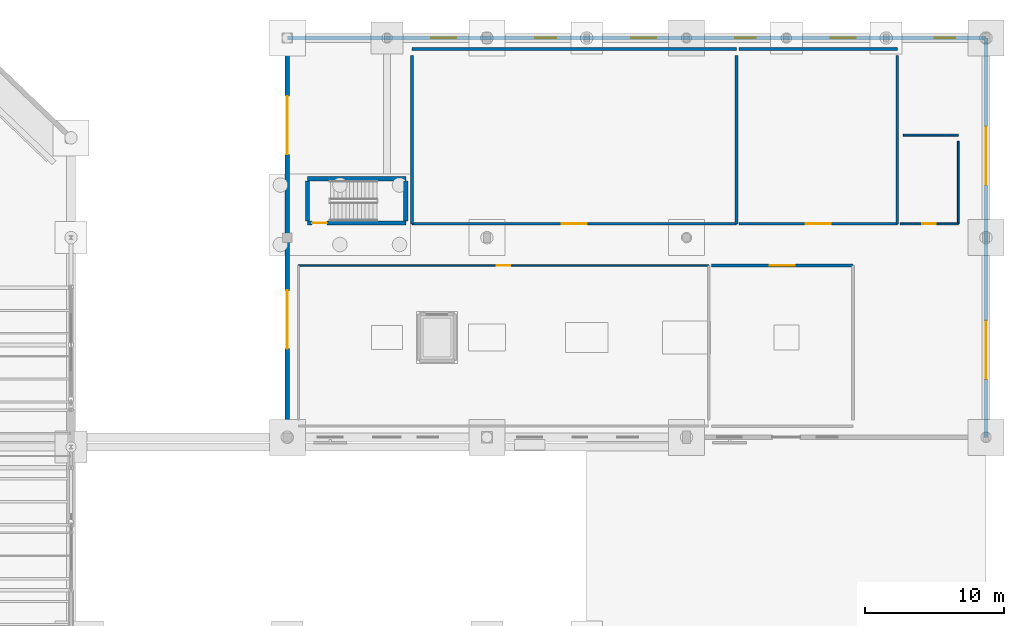
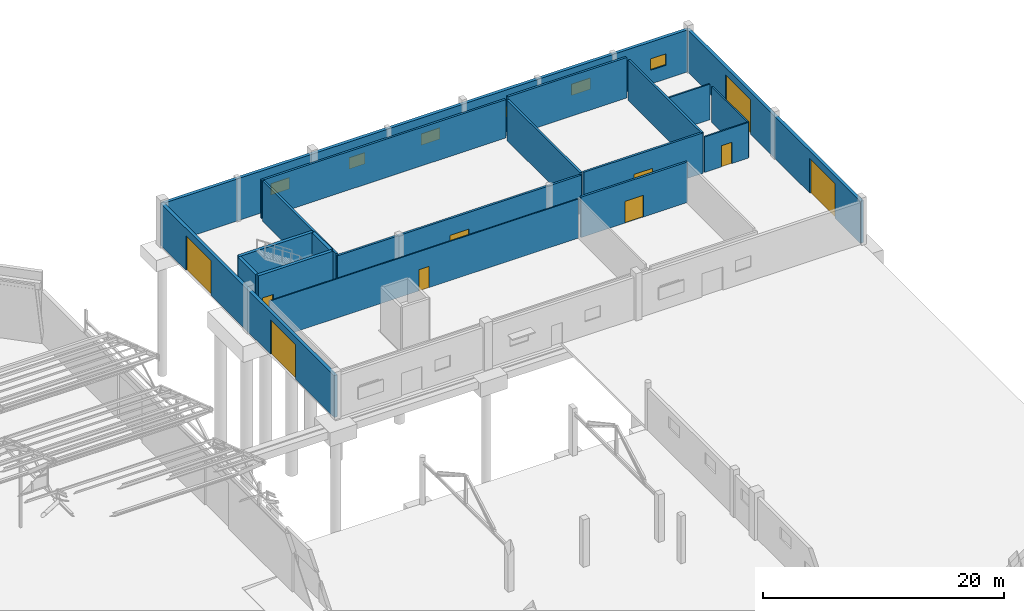
# One storey, part 262 of 285: 19 walls, 10 doors, 6 windows, 16 openings.
"""IFC4 building model written with IfcOpenShell, lengths in metres."""

from ifc_helpers import new_model, si_unit, direction, frame, frame_2d, origin, place, context, subcontext, project, spatial, rectangle, extrude, material, layer, layer_set, type_object, element, fill, save


model = new_model("IFC4")

# Units and contexts
model_context = context("Model", 3, precision=1e-05, world=origin(), true_north=direction((0.0, 1.0)))
body_context = subcontext(model_context, "Body", "Model", "MODEL_VIEW")
ifc_project = project(units=[si_unit("LENGTHUNIT", "METRE"), si_unit("AREAUNIT", "SQUARE_METRE"), si_unit("VOLUMEUNIT", "CUBIC_METRE"), si_unit("PLANEANGLEUNIT", "RADIAN"), si_unit("MASSUNIT", "GRAM", prefix="KILO")], contexts=[model_context])

# Site, building, storey
site_placement = place(None, origin())
site = spatial("IfcSite", under=ifc_project, at=site_placement, CompositionType="ELEMENT")
building_placement = place(site_placement, origin())
building = spatial("IfcBuilding", under=site, at=building_placement, Name="Solanera Park Tramway Depot", CompositionType="ELEMENT")
storey_placement = place(building_placement, origin())
storey = spatial("IfcBuildingStorey", under=building, at=storey_placement, Name="L00", CompositionType="ELEMENT", Elevation=0.0)

# Wall, opening, door
ifc_material_1 = material(Name="Concrete N40 (C40/50)", Category="concrete")
ifc_layer_1 = layer(ifc_material_1, 0.300048828125)
ifc_layer_set_1 = layer_set([ifc_layer_1], Name="Concrete N40 (C40/50)")
wall_type_1 = type_object("IfcWallType", Name="Core Shear Wall 300", PredefinedType="SHEAR", material=ifc_layer_set_1)
wall_1_placement = place(storey_placement, frame((167.050048828125, 130.64990234375, 0.0), z_axis=(0.0, 0.0, 1.0), x_axis=(1.0, 0.0, 0.0)))
wall_1 = element("IfcWall", 1, at=wall_1_placement, inside=storey, type_object=wall_type_1, Name="ST-11 L00 Shear Core Wall S", PredefinedType="SHEAR", context=body_context, shape_type="SweptSolid", body=[
    extrude(rectangle(XDim=7.099853515625, YDim=0.300048828125, at=frame_2d((3.5498046875, 0.0))), origin(), (0.0, 0.0, 1.0), 4.52490234375),
])
opening_1_placement = place(wall_1_placement, frame((0.35009765625, 0.0, 0.0)))
opening_1 = element("IfcOpeningElement", 2, at=opening_1_placement, cuts=wall_1, Name="Opening FD-S1L", PredefinedType="OPENING", context=body_context, shape_type="SweptSolid", body=[
    extrude(rectangle(XDim=1.050048828125, YDim=2.14990234375, at=frame_2d((0.52490234375, 1.074951171875))), frame((0.0, 0.16015625, 0.0), z_axis=(0.0, -1.0, 0.0), x_axis=(1.0, 0.0, 0.0)), (0.0, 0.0, 1.0), 0.320068359375),
])
ifc_material_2 = material(Name="Fire-rated steel or solid-core hardwood door leaf", Category="steel")
door_type_1 = type_object("IfcDoorType", Name="Stair Fire Door L 1050x2150", OperationType="SINGLE_SWING_LEFT", PredefinedType="DOOR", material=ifc_material_2)
door_1_placement = place(opening_1_placement, frame((1.050048828125, 0.0, 0.0), z_axis=(0.0, 0.0, 1.0), x_axis=(-1.0, 0.0, 0.0)))
door_1 = element("IfcDoor", 3, at=door_1_placement, inside=storey, type_object=door_type_1, Name="ST-11 L00 Stair Fire Door", OperationType="SINGLE_SWING_LEFT", OverallHeight=2.14990234375, OverallWidth=1.050048828125, PredefinedType="DOOR", context=body_context, shape_type="SweptSolid", body=[
    extrude(rectangle(XDim=1.050048828125, YDim=2.14990234375, at=frame_2d((0.52490234375, 1.074951171875))), frame((0.0, 0.02490234375, 0.0), z_axis=(0.0, -1.0, 0.0), x_axis=(1.0, 0.0, 0.0)), (0.0, 0.0, 1.0), 0.050048828125),
])
fill(opening_1, door_1)

# Walls
wall_2_placement = place(storey_placement, frame((174.14990234375, 133.85009765625, 0.0), z_axis=(0.0, 0.0, 1.0), x_axis=(-1.0, 0.0, 0.0)))
element("IfcWall", 4, at=wall_2_placement, inside=storey, type_object=wall_type_1, Name="ST-11 L00 Shear Core Wall N", PredefinedType="SHEAR", context=body_context, shape_type="SweptSolid", body=[
    extrude(rectangle(XDim=7.099853515625, YDim=0.300048828125, at=frame_2d((3.5498046875, 0.0))), origin(), (0.0, 0.0, 1.0), 4.52490234375),
])
for number, where, z_axis, x_axis, name in (
    (5, (174.14990234375, 130.800048828125, 0.0), (0.0, 0.0, 1.0), (0.0, 1.0, 0.0), "ST-11 L00 Shear Core Wall E"),
    (6, (167.050048828125, 133.699951171875, 0.0), (0.0, 0.0, 1.0), (0.0, -1.0, 0.0), "ST-11 L00 Shear Core Wall W"),
):
    element("IfcWall", number, at=place(storey_placement, frame(where, z_axis=z_axis, x_axis=x_axis)), inside=storey, type_object=wall_type_1, Name=name, PredefinedType="SHEAR", context=body_context, shape_type="SweptSolid", body=[
        extrude(rectangle(XDim=2.89990234375, YDim=0.300048828125, at=frame_2d((1.449951171875, 0.0))), origin(), (0.0, 0.0, 1.0), 4.52490234375),
    ])

# Wall, openings, windows
ifc_material_3 = material(Name="Concrete N32 (C32/40)", Category="concrete")
ifc_layer_2 = layer(ifc_material_3, 0.300048828125)
ifc_layer_set_2 = layer_set([ifc_layer_2], Name="Concrete N32 (C32/40)")
wall_type_2 = type_object("IfcWallType", Name="Ext Stucco Wall 300", PredefinedType="SOLIDWALL", material=ifc_layer_set_2)
wall_3_placement = place(storey_placement, frame((216.0, 144.0, 0.0), z_axis=(0.0, 0.0, 1.0), x_axis=(-1.0, 0.0, 0.0)))
wall_3 = element("IfcWall", 7, at=wall_3_placement, inside=storey, type_object=wall_type_2, Name="L00 Exterior Wall #012", PredefinedType="SOLIDWALL", context=body_context, shape_type="SweptSolid", body=[
    extrude(rectangle(XDim=50.39990234375, YDim=0.300048828125, at=frame_2d((25.199951171875, 0.0))), origin(), (0.0, 0.0, 1.0), 4.25),
])
opening_2_placement = place(wall_3_placement, frame((2.199951171875, 0.0, 1.39990234375)))
opening_2 = element("IfcOpeningElement", 8, at=opening_2_placement, cuts=wall_3, Name="Opening WN-L15", PredefinedType="OPENING", context=body_context, shape_type="SweptSolid", body=[
    extrude(rectangle(XDim=1.5, YDim=1.14990234375, at=frame_2d((0.75, 0.574951171875))), frame((0.0, 0.16015625, 0.0), z_axis=(0.0, -1.0, 0.0), x_axis=(1.0, 0.0, 0.0)), (0.0, 0.0, 1.0), 0.320068359375),
])
opening_3_placement = place(wall_3_placement, frame((9.39990234375, 0.0, 1.39990234375)))
opening_3 = element("IfcOpeningElement", 9, at=opening_3_placement, cuts=wall_3, Name="Opening WN-L18", PredefinedType="OPENING", context=body_context, shape_type="SweptSolid", body=[
    extrude(rectangle(XDim=1.800048828125, YDim=1.14990234375, at=frame_2d((0.89990234375, 0.574951171875))), frame((0.0, 0.16015625, 0.0), z_axis=(0.0, -1.0, 0.0), x_axis=(1.0, 0.0, 0.0)), (0.0, 0.0, 1.0), 0.320068359375),
])
opening_4_placement = place(wall_3_placement, frame((16.60009765625, 0.0, 1.39990234375)))
opening_4 = element("IfcOpeningElement", 10, at=opening_4_placement, cuts=wall_3, Name="Opening WN-L15", PredefinedType="OPENING", context=body_context, shape_type="SweptSolid", body=[
    extrude(rectangle(XDim=1.5, YDim=1.14990234375, at=frame_2d((0.75, 0.574951171875))), frame((0.0, 0.16015625, 0.0), z_axis=(0.0, -1.0, 0.0), x_axis=(1.0, 0.0, 0.0)), (0.0, 0.0, 1.0), 0.320068359375),
])
opening_5_placement = place(wall_3_placement, frame((23.800048828125, 0.0, 1.39990234375)))
opening_5 = element("IfcOpeningElement", 11, at=opening_5_placement, cuts=wall_3, Name="Opening WN-L18", PredefinedType="OPENING", context=body_context, shape_type="SweptSolid", body=[
    extrude(rectangle(XDim=1.800048828125, YDim=1.14990234375, at=frame_2d((0.89990234375, 0.574951171875))), frame((0.0, 0.16015625, 0.0), z_axis=(0.0, -1.0, 0.0), x_axis=(1.0, 0.0, 0.0)), (0.0, 0.0, 1.0), 0.320068359375),
])
opening_6_placement = place(wall_3_placement, frame((31.0, 0.0, 1.39990234375)))
opening_6 = element("IfcOpeningElement", 12, at=opening_6_placement, cuts=wall_3, Name="Opening WN-L15", PredefinedType="OPENING", context=body_context, shape_type="SweptSolid", body=[
    extrude(rectangle(XDim=1.5, YDim=1.14990234375, at=frame_2d((0.75, 0.574951171875))), frame((0.0, 0.16015625, 0.0), z_axis=(0.0, -1.0, 0.0), x_axis=(1.0, 0.0, 0.0)), (0.0, 0.0, 1.0), 0.320068359375),
])
opening_7_placement = place(wall_3_placement, frame((38.199951171875, 0.0, 1.39990234375)))
opening_7 = element("IfcOpeningElement", 13, at=opening_7_placement, cuts=wall_3, Name="Opening WN-L18", PredefinedType="OPENING", context=body_context, shape_type="SweptSolid", body=[
    extrude(rectangle(XDim=1.800048828125, YDim=1.14990234375, at=frame_2d((0.89990234375, 0.574951171875))), frame((0.0, 0.16015625, 0.0), z_axis=(0.0, -1.0, 0.0), x_axis=(1.0, 0.0, 0.0)), (0.0, 0.0, 1.0), 0.320068359375),
])
ifc_material_4 = material(Name="Powder-coated aluminium frame with solar-control double glazing", Category="aluminium")
window_type_1 = type_object("IfcWindowType", Name="Substation Acoustic Louvre 1500x1150", PartitioningType="SINGLE_PANEL", PredefinedType="WINDOW", material=ifc_material_4)
window_1_placement = place(opening_2_placement, origin())
window_1 = element("IfcWindow", 14, at=window_1_placement, inside=storey, type_object=window_type_1, Name="L00 Substation Acoustic Louvre 1500x1150 #0070", OverallHeight=1.14990234375, OverallWidth=1.5, PartitioningType="SINGLE_PANEL", PredefinedType="WINDOW", context=body_context, shape_type="SweptSolid", body=[
    extrude(rectangle(XDim=1.5, YDim=1.14990234375, at=frame_2d((0.75, 0.574951171875))), frame((0.0, 0.030029296875, 0.0), z_axis=(0.0, -1.0, 0.0), x_axis=(1.0, 0.0, 0.0)), (0.0, 0.0, 1.0), 0.06005859375),
])
fill(opening_2, window_1)
window_2_placement = place(opening_4_placement, origin())
window_2 = element("IfcWindow", 15, at=window_2_placement, inside=storey, type_object=window_type_1, Name="L00 Substation Acoustic Louvre 1500x1150 #0072", OverallHeight=1.14990234375, OverallWidth=1.5, PartitioningType="SINGLE_PANEL", PredefinedType="WINDOW", context=body_context, shape_type="SweptSolid", body=[
    extrude(rectangle(XDim=1.5, YDim=1.14990234375, at=frame_2d((0.75, 0.574951171875))), frame((0.0, 0.030029296875, 0.0), z_axis=(0.0, -1.0, 0.0), x_axis=(1.0, 0.0, 0.0)), (0.0, 0.0, 1.0), 0.06005859375),
])
fill(opening_4, window_2)
window_3_placement = place(opening_6_placement, origin())
window_3 = element("IfcWindow", 16, at=window_3_placement, inside=storey, type_object=window_type_1, Name="L00 Substation Acoustic Louvre 1500x1150 #0074", OverallHeight=1.14990234375, OverallWidth=1.5, PartitioningType="SINGLE_PANEL", PredefinedType="WINDOW", context=body_context, shape_type="SweptSolid", body=[
    extrude(rectangle(XDim=1.5, YDim=1.14990234375, at=frame_2d((0.75, 0.574951171875))), frame((0.0, 0.030029296875, 0.0), z_axis=(0.0, -1.0, 0.0), x_axis=(1.0, 0.0, 0.0)), (0.0, 0.0, 1.0), 0.06005859375),
])
fill(opening_6, window_3)
ifc_material_5 = material(Name="Powder-coated aluminium frame with solar-control double glazing", Category="aluminium")
window_type_2 = type_object("IfcWindowType", Name="Substation Acoustic Louvre 1800x1150", PartitioningType="SINGLE_PANEL", PredefinedType="WINDOW", material=ifc_material_5)
window_4_placement = place(opening_3_placement, origin())
window_4 = element("IfcWindow", 17, at=window_4_placement, inside=storey, type_object=window_type_2, Name="L00 Substation Acoustic Louvre 1800x1150 #0071", OverallHeight=1.14990234375, OverallWidth=1.800048828125, PartitioningType="SINGLE_PANEL", PredefinedType="WINDOW", context=body_context, shape_type="SweptSolid", body=[
    extrude(rectangle(XDim=1.800048828125, YDim=1.14990234375, at=frame_2d((0.89990234375, 0.574951171875))), frame((0.0, 0.030029296875, 0.0), z_axis=(0.0, -1.0, 0.0), x_axis=(1.0, 0.0, 0.0)), (0.0, 0.0, 1.0), 0.06005859375),
])
fill(opening_3, window_4)
window_5_placement = place(opening_5_placement, origin())
window_5 = element("IfcWindow", 18, at=window_5_placement, inside=storey, type_object=window_type_2, Name="L00 Substation Acoustic Louvre 1800x1150 #0073", OverallHeight=1.14990234375, OverallWidth=1.800048828125, PartitioningType="SINGLE_PANEL", PredefinedType="WINDOW", context=body_context, shape_type="SweptSolid", body=[
    extrude(rectangle(XDim=1.800048828125, YDim=1.14990234375, at=frame_2d((0.89990234375, 0.574951171875))), frame((0.0, 0.030029296875, 0.0), z_axis=(0.0, -1.0, 0.0), x_axis=(1.0, 0.0, 0.0)), (0.0, 0.0, 1.0), 0.06005859375),
])
fill(opening_5, window_5)
window_6_placement = place(opening_7_placement, origin())
window_6 = element("IfcWindow", 19, at=window_6_placement, inside=storey, type_object=window_type_2, Name="L00 Substation Acoustic Louvre 1800x1150 #0075", OverallHeight=1.14990234375, OverallWidth=1.800048828125, PartitioningType="SINGLE_PANEL", PredefinedType="WINDOW", context=body_context, shape_type="SweptSolid", body=[
    extrude(rectangle(XDim=1.800048828125, YDim=1.14990234375, at=frame_2d((0.89990234375, 0.574951171875))), frame((0.0, 0.030029296875, 0.0), z_axis=(0.0, -1.0, 0.0), x_axis=(1.0, 0.0, 0.0)), (0.0, 0.0, 1.0), 0.06005859375),
])
fill(opening_7, window_6)

# Wall, openings, doors
wall_4_placement = place(storey_placement, frame((165.60009765625, 144.0, 0.0), z_axis=(0.0, 0.0, 1.0), x_axis=(0.0, -1.0, 0.0)))
wall_4 = element("IfcWall", 20, at=wall_4_placement, inside=storey, type_object=wall_type_2, Name="L00 Exterior Wall #013", PredefinedType="SOLIDWALL", context=body_context, shape_type="SweptSolid", body=[
    extrude(rectangle(XDim=28.800048828125, YDim=0.300048828125, at=frame_2d((14.39990234375, 0.0))), origin(), (0.0, 0.0, 1.0), 4.25),
])
opening_8_placement = place(wall_4_placement, frame((4.199951171875, 0.0, 0.0)))
opening_8 = element("IfcOpeningElement", 21, at=opening_8_placement, cuts=wall_4, Name="Opening VG-03", PredefinedType="OPENING", context=body_context, shape_type="SweptSolid", body=[
    extrude(rectangle(XDim=4.199951171875, YDim=3.5, at=frame_2d((2.10009765625, 1.75))), frame((0.0, 0.16015625, 0.0), z_axis=(0.0, -1.0, 0.0), x_axis=(1.0, 0.0, 0.0)), (0.0, 0.0, 1.0), 0.320068359375),
])
opening_9_placement = place(wall_4_placement, frame((18.199951171875, 0.0, 0.0)))
opening_9 = element("IfcOpeningElement", 22, at=opening_9_placement, cuts=wall_4, Name="Opening VG-03", PredefinedType="OPENING", context=body_context, shape_type="SweptSolid", body=[
    extrude(rectangle(XDim=4.199951171875, YDim=3.5, at=frame_2d((2.10009765625, 1.75))), frame((0.0, 0.16015625, 0.0), z_axis=(0.0, -1.0, 0.0), x_axis=(1.0, 0.0, 0.0)), (0.0, 0.0, 1.0), 0.320068359375),
])
ifc_material_6 = material(Name="Powder-coated aluminium and steel portal leaf", Category="steel")
door_type_2 = type_object("IfcDoorType", Name="Wash Hall High-Speed Shutter 4200x3500", OperationType="ROLLINGUP", PredefinedType="GATE", material=ifc_material_6)
door_2_placement = place(opening_8_placement, origin())
door_2 = element("IfcDoor", 23, at=door_2_placement, inside=storey, type_object=door_type_2, Name="Wash Bay Shutter #0038", OperationType="ROLLINGUP", OverallHeight=3.5, OverallWidth=4.199951171875, PredefinedType="GATE", context=body_context, shape_type="SweptSolid", body=[
    extrude(rectangle(XDim=4.199951171875, YDim=3.5, at=frame_2d((2.10009765625, 1.75))), frame((0.0, 0.02490234375, 0.0), z_axis=(0.0, -1.0, 0.0), x_axis=(1.0, 0.0, 0.0)), (0.0, 0.0, 1.0), 0.050048828125),
])
fill(opening_8, door_2)
door_3_placement = place(opening_9_placement, origin())
door_3 = element("IfcDoor", 24, at=door_3_placement, inside=storey, type_object=door_type_2, Name="Wash Bay Shutter #0039", OperationType="ROLLINGUP", OverallHeight=3.5, OverallWidth=4.199951171875, PredefinedType="GATE", context=body_context, shape_type="SweptSolid", body=[
    extrude(rectangle(XDim=4.199951171875, YDim=3.5, at=frame_2d((2.10009765625, 1.75))), frame((0.0, 0.02490234375, 0.0), z_axis=(0.0, -1.0, 0.0), x_axis=(1.0, 0.0, 0.0)), (0.0, 0.0, 1.0), 0.050048828125),
])
fill(opening_9, door_3)

wall_5_placement = place(storey_placement, frame((216.0, 115.199951171875, 0.0), z_axis=(0.0, 0.0, 1.0), x_axis=(0.0, 1.0, 0.0)))
wall_5 = element("IfcWall", 25, at=wall_5_placement, inside=storey, type_object=wall_type_2, Name="L00 Exterior Wall #014", PredefinedType="SOLIDWALL", context=body_context, shape_type="SweptSolid", body=[
    extrude(rectangle(XDim=28.800048828125, YDim=0.300048828125, at=frame_2d((14.39990234375, 0.0))), origin(), (0.0, 0.0, 1.0), 4.25),
])
opening_10_placement = place(wall_5_placement, frame((4.199951171875, 0.0, 0.0)))
opening_10 = element("IfcOpeningElement", 26, at=opening_10_placement, cuts=wall_5, Name="Opening VG-03", PredefinedType="OPENING", context=body_context, shape_type="SweptSolid", body=[
    extrude(rectangle(XDim=4.199951171875, YDim=3.5, at=frame_2d((2.10009765625, 1.75))), frame((0.0, 0.16015625, 0.0), z_axis=(0.0, -1.0, 0.0), x_axis=(1.0, 0.0, 0.0)), (0.0, 0.0, 1.0), 0.320068359375),
])
opening_11_placement = place(wall_5_placement, frame((18.199951171875, 0.0, 0.0)))
opening_11 = element("IfcOpeningElement", 27, at=opening_11_placement, cuts=wall_5, Name="Opening VG-03", PredefinedType="OPENING", context=body_context, shape_type="SweptSolid", body=[
    extrude(rectangle(XDim=4.199951171875, YDim=3.5, at=frame_2d((2.10009765625, 1.75))), frame((0.0, 0.16015625, 0.0), z_axis=(0.0, -1.0, 0.0), x_axis=(1.0, 0.0, 0.0)), (0.0, 0.0, 1.0), 0.320068359375),
])
door_4_placement = place(opening_10_placement, origin())
door_4 = element("IfcDoor", 28, at=door_4_placement, inside=storey, type_object=door_type_2, Name="Wash Bay Shutter #0040", OperationType="ROLLINGUP", OverallHeight=3.5, OverallWidth=4.199951171875, PredefinedType="GATE", context=body_context, shape_type="SweptSolid", body=[
    extrude(rectangle(XDim=4.199951171875, YDim=3.5, at=frame_2d((2.10009765625, 1.75))), frame((0.0, 0.02490234375, 0.0), z_axis=(0.0, -1.0, 0.0), x_axis=(1.0, 0.0, 0.0)), (0.0, 0.0, 1.0), 0.050048828125),
])
fill(opening_10, door_4)
door_5_placement = place(opening_11_placement, origin())
door_5 = element("IfcDoor", 29, at=door_5_placement, inside=storey, type_object=door_type_2, Name="Wash Bay Shutter #0041", OperationType="ROLLINGUP", OverallHeight=3.5, OverallWidth=4.199951171875, PredefinedType="GATE", context=body_context, shape_type="SweptSolid", body=[
    extrude(rectangle(XDim=4.199951171875, YDim=3.5, at=frame_2d((2.10009765625, 1.75))), frame((0.0, 0.02490234375, 0.0), z_axis=(0.0, -1.0, 0.0), x_axis=(1.0, 0.0, 0.0)), (0.0, 0.0, 1.0), 0.050048828125),
])
fill(opening_11, door_5)

# Wall, opening, door
ifc_material_7 = material(Name="Concrete N32 (C32/40)", Category="concrete")
ifc_layer_3 = layer(ifc_material_7, 0.199951171875)
ifc_layer_set_3 = layer_set([ifc_layer_3], Name="Concrete N32 (C32/40)")
wall_type_3 = type_object("IfcWallType", Name="Fire Compartment Wall 200", PredefinedType="SOLIDWALL", material=ifc_layer_set_3)
wall_6_placement = place(storey_placement, frame((196.199951171875, 127.60009765625, 0.0), z_axis=(0.0, 0.0, 1.0), x_axis=(1.0, 0.0, 0.0)))
wall_6 = element("IfcWall", 30, at=wall_6_placement, inside=storey, type_object=wall_type_3, Name="Wash Water Reclamation Filtration Plant Corridor Wall", PredefinedType="SOLIDWALL", context=body_context, shape_type="SweptSolid", body=[
    extrude(rectangle(XDim=10.199951171875, YDim=0.199951171875, at=frame_2d((5.10009765625, 0.0))), origin(), (0.0, 0.0, 1.0), 4.10009765625),
])
opening_12_placement = place(wall_6_placement, frame((4.199951171875, 0.0, 0.0)))
opening_12 = element("IfcOpeningElement", 31, at=opening_12_placement, cuts=wall_6, Name="Opening FD-P2D", PredefinedType="OPENING", context=body_context, shape_type="SweptSolid", body=[
    extrude(rectangle(XDim=1.800048828125, YDim=2.199951171875, at=frame_2d((0.89990234375, 1.10009765625))), frame((0.0, 0.10986328125, 0.0), z_axis=(0.0, -1.0, 0.0), x_axis=(1.0, 0.0, 0.0)), (0.0, 0.0, 1.0), 0.219970703125),
])
ifc_material_8 = material(Name="Fire-rated steel or solid-core hardwood door leaf", Category="steel")
door_type_3 = type_object("IfcDoorType", Name="Plant Double Fire Door 1800x2200", OperationType="DOUBLE_SWING_LEFT", PredefinedType="DOOR", material=ifc_material_8)
door_6_placement = place(opening_12_placement, origin())
door_6 = element("IfcDoor", 32, at=door_6_placement, inside=storey, type_object=door_type_3, Name="Wash Water Reclamation Filtration Plant Door", OperationType="DOUBLE_SWING_LEFT", OverallHeight=2.199951171875, OverallWidth=1.800048828125, PredefinedType="DOOR", context=body_context, shape_type="SweptSolid", body=[
    extrude(rectangle(XDim=1.800048828125, YDim=2.199951171875, at=frame_2d((0.89990234375, 1.10009765625))), frame((0.0, 0.02490234375, 0.0), z_axis=(0.0, -1.0, 0.0), x_axis=(1.0, 0.0, 0.0)), (0.0, 0.0, 1.0), 0.050048828125),
])
fill(opening_12, door_6)

# Walls
wall_7_placement = place(storey_placement, frame((174.60009765625, 143.199951171875, 0.0), z_axis=(0.0, 0.0, 1.0), x_axis=(1.0, 0.0, 0.0)))
element("IfcWall", 33, at=wall_7_placement, inside=storey, type_object=wall_type_3, Name="Traction Rectifier and Transformer Hall Dividing Wall", PredefinedType="SOLIDWALL", context=body_context, shape_type="SweptSolid", body=[
    extrude(rectangle(XDim=23.39990234375, YDim=0.199951171875, at=frame_2d((11.699951171875, 0.0))), origin(), (0.0, 0.0, 1.0), 3.8955078125),
])
for number, where, z_axis, x_axis, name in (
    (34, (198.0, 130.60009765625, 0.0), (0.0, 0.0, 1.0), (0.0, 1.0, 0.0), "Traction Rectifier and Transformer Hall Dividing Wall"),
    (35, (174.60009765625, 142.75, 0.0), (0.0, 0.0, 1.0), (0.0, -1.0, 0.0), "Traction Rectifier and Transformer Hall Dividing Wall"),
):
    element("IfcWall", number, at=place(storey_placement, frame(where, z_axis=z_axis, x_axis=x_axis)), inside=storey, type_object=wall_type_3, Name=name, PredefinedType="SOLIDWALL", context=body_context, shape_type="SweptSolid", body=[
        extrude(rectangle(XDim=12.14990234375, YDim=0.199951171875, at=frame_2d((6.074951171875, 0.0))), origin(), (0.0, 0.0, 1.0), 4.10009765625),
    ])

# Wall, opening, door
wall_8_placement = place(storey_placement, frame((198.0, 130.60009765625, 0.0), z_axis=(0.0, 0.0, 1.0), x_axis=(-1.0, 0.0, 0.0)))
wall_8 = element("IfcWall", 36, at=wall_8_placement, inside=storey, type_object=wall_type_3, Name="Traction Rectifier and Transformer Hall Corridor Wall", PredefinedType="SOLIDWALL", context=body_context, shape_type="SweptSolid", body=[
    extrude(rectangle(XDim=23.39990234375, YDim=0.199951171875, at=frame_2d((11.699951171875, 0.0))), origin(), (0.0, 0.0, 1.0), 3.8955078125),
])
opening_13_placement = place(wall_8_placement, frame((10.800048828125, 0.0, 0.0)))
opening_13 = element("IfcOpeningElement", 37, at=opening_13_placement, cuts=wall_8, Name="Opening FD-P2D", PredefinedType="OPENING", context=body_context, shape_type="SweptSolid", body=[
    extrude(rectangle(XDim=1.800048828125, YDim=2.199951171875, at=frame_2d((0.89990234375, 1.10009765625))), frame((0.0, 0.10986328125, 0.0), z_axis=(0.0, -1.0, 0.0), x_axis=(1.0, 0.0, 0.0)), (0.0, 0.0, 1.0), 0.219970703125),
])
door_7_placement = place(opening_13_placement, origin())
door_7 = element("IfcDoor", 38, at=door_7_placement, inside=storey, type_object=door_type_3, Name="Traction Rectifier and Transformer Hall Door", OperationType="DOUBLE_SWING_LEFT", OverallHeight=2.199951171875, OverallWidth=1.800048828125, PredefinedType="DOOR", context=body_context, shape_type="SweptSolid", body=[
    extrude(rectangle(XDim=1.800048828125, YDim=2.199951171875, at=frame_2d((0.89990234375, 1.10009765625))), frame((0.0, 0.02490234375, 0.0), z_axis=(0.0, -1.0, 0.0), x_axis=(1.0, 0.0, 0.0)), (0.0, 0.0, 1.0), 0.050048828125),
])
fill(opening_13, door_7)

# Walls
wall_9_placement = place(storey_placement, frame((198.199951171875, 143.199951171875, 0.0), z_axis=(0.0, 0.0, 1.0), x_axis=(1.0, 0.0, 0.0)))
element("IfcWall", 39, at=wall_9_placement, inside=storey, type_object=wall_type_3, Name="Traction Battery Energy Storage Room Dividing Wall", PredefinedType="SOLIDWALL", context=body_context, shape_type="SweptSolid", body=[
    extrude(rectangle(XDim=11.400146484375, YDim=0.199951171875, at=frame_2d((5.7001953125, 0.0))), origin(), (0.0, 0.0, 1.0), 4.10009765625),
])
wall_10_placement = place(storey_placement, frame((209.60009765625, 130.60009765625, 0.0), z_axis=(0.0, 0.0, 1.0), x_axis=(0.0, 1.0, 0.0)))
element("IfcWall", 40, at=wall_10_placement, inside=storey, type_object=wall_type_3, Name="Traction Battery Energy Storage Room Dividing Wall", PredefinedType="SOLIDWALL", context=body_context, shape_type="SweptSolid", body=[
    extrude(rectangle(XDim=12.14990234375, YDim=0.199951171875, at=frame_2d((6.074951171875, 0.0))), origin(), (0.0, 0.0, 1.0), 4.10009765625),
])

# Wall, opening, door
wall_11_placement = place(storey_placement, frame((209.60009765625, 130.60009765625, 0.0), z_axis=(0.0, 0.0, 1.0), x_axis=(-1.0, 0.0, 0.0)))
wall_11 = element("IfcWall", 41, at=wall_11_placement, inside=storey, type_object=wall_type_3, Name="Traction Battery Energy Storage Room Corridor Wall", PredefinedType="SOLIDWALL", context=body_context, shape_type="SweptSolid", body=[
    extrude(rectangle(XDim=11.400146484375, YDim=0.199951171875, at=frame_2d((5.7001953125, 0.0))), origin(), (0.0, 0.0, 1.0), 4.10009765625),
])
opening_14_placement = place(wall_11_placement, frame((4.800048828125, 0.0, 0.0)))
opening_14 = element("IfcOpeningElement", 42, at=opening_14_placement, cuts=wall_11, Name="Opening FD-P2D", PredefinedType="OPENING", context=body_context, shape_type="SweptSolid", body=[
    extrude(rectangle(XDim=1.800048828125, YDim=2.199951171875, at=frame_2d((0.89990234375, 1.10009765625))), frame((0.0, 0.10986328125, 0.0), z_axis=(0.0, -1.0, 0.0), x_axis=(1.0, 0.0, 0.0)), (0.0, 0.0, 1.0), 0.219970703125),
])
door_8_placement = place(opening_14_placement, origin())
door_8 = element("IfcDoor", 43, at=door_8_placement, inside=storey, type_object=door_type_3, Name="Traction Battery Energy Storage Room Door", OperationType="DOUBLE_SWING_LEFT", OverallHeight=2.199951171875, OverallWidth=1.800048828125, PredefinedType="DOOR", context=body_context, shape_type="SweptSolid", body=[
    extrude(rectangle(XDim=1.800048828125, YDim=2.199951171875, at=frame_2d((0.89990234375, 1.10009765625))), frame((0.0, 0.02490234375, 0.0), z_axis=(0.0, -1.0, 0.0), x_axis=(1.0, 0.0, 0.0)), (0.0, 0.0, 1.0), 0.050048828125),
])
fill(opening_14, door_8)

# Walls
ifc_material_9 = material(Name="Concrete N32 (C32/40)", Category="concrete")
ifc_layer_4 = layer(ifc_material_9, 0.139892578125)
ifc_layer_set_4 = layer_set([ifc_layer_4], Name="Concrete N32 (C32/40)")
wall_type_4 = type_object("IfcWallType", Name="Wet Area Partition 140", PredefinedType="PARTITIONING", material=ifc_layer_set_4)
wall_12_placement = place(storey_placement, frame((210.050048828125, 137.0, 0.0), z_axis=(0.0, 0.0, 1.0), x_axis=(1.0, 0.0, 0.0)))
element("IfcWall", 44, at=wall_12_placement, inside=storey, type_object=wall_type_4, Name="Wash Pavilion Accessible WC L00 Dividing Wall", PredefinedType="PARTITIONING", context=body_context, shape_type="SweptSolid", body=[
    extrude(rectangle(XDim=3.949951171875, YDim=0.139892578125, at=frame_2d((1.97509765625, 0.0))), origin(), (0.0, 0.0, 1.0), 3.60009765625),
])
wall_13_placement = place(storey_placement, frame((214.0, 130.60009765625, 0.0), z_axis=(0.0, 0.0, 1.0), x_axis=(0.0, 1.0, 0.0)))
element("IfcWall", 45, at=wall_13_placement, inside=storey, type_object=wall_type_4, Name="Wash Pavilion Accessible WC L00 Dividing Wall", PredefinedType="PARTITIONING", context=body_context, shape_type="SweptSolid", body=[
    extrude(rectangle(XDim=5.949951171875, YDim=0.139892578125, at=frame_2d((2.97509765625, 0.0))), origin(), (0.0, 0.0, 1.0), 3.60009765625),
])

# Wall, opening, door
wall_14_placement = place(storey_placement, frame((214.0, 130.60009765625, 0.0), z_axis=(0.0, 0.0, 1.0), x_axis=(-1.0, 0.0, 0.0)))
wall_14 = element("IfcWall", 46, at=wall_14_placement, inside=storey, type_object=wall_type_4, Name="Wash Pavilion Accessible WC L00 Corridor Wall", PredefinedType="PARTITIONING", context=body_context, shape_type="SweptSolid", body=[
    extrude(rectangle(XDim=4.199951171875, YDim=0.139892578125, at=frame_2d((2.10009765625, 0.0))), origin(), (0.0, 0.0, 1.0), 3.60009765625),
])
opening_15_placement = place(wall_14_placement, frame((1.610107421875, 0.0, 0.0)))
opening_15 = element("IfcOpeningElement", 47, at=opening_15_placement, cuts=wall_14, Name="Opening ID-W1L", PredefinedType="OPENING", context=body_context, shape_type="SweptSolid", body=[
    extrude(rectangle(XDim=0.97998046875, YDim=2.14990234375, at=frame_2d((0.489990234375, 1.074951171875))), frame((0.0, 0.080078125, 0.0), z_axis=(0.0, -1.0, 0.0), x_axis=(1.0, 0.0, 0.0)), (0.0, 0.0, 1.0), 0.159912109375),
])
ifc_material_10 = material(Name="Fire-rated steel or solid-core hardwood door leaf", Category="steel")
door_type_4 = type_object("IfcDoorType", Name="Accessible WC Door L 980x2150", OperationType="SINGLE_SWING_LEFT", PredefinedType="DOOR", material=ifc_material_10)
door_9_placement = place(opening_15_placement, origin())
door_9 = element("IfcDoor", 48, at=door_9_placement, inside=storey, type_object=door_type_4, Name="Wash Pavilion Accessible WC L00 Door", OperationType="SINGLE_SWING_LEFT", OverallHeight=2.14990234375, OverallWidth=0.97998046875, PredefinedType="DOOR", context=body_context, shape_type="SweptSolid", body=[
    extrude(rectangle(XDim=0.97998046875, YDim=2.14990234375, at=frame_2d((0.489990234375, 1.074951171875))), frame((0.0, 0.02490234375, 0.0), z_axis=(0.0, -1.0, 0.0), x_axis=(1.0, 0.0, 0.0)), (0.0, 0.0, 1.0), 0.050048828125),
])
fill(opening_15, door_9)

ifc_material_11 = material(Name="Concrete N32 (C32/40)", Category="concrete")
ifc_layer_5 = layer(ifc_material_11, 0.110107421875)
ifc_layer_set_5 = layer_set([ifc_layer_5], Name="Concrete N32 (C32/40)")
wall_type_5 = type_object("IfcWallType", Name="Workshop Glazed Screen 110", PredefinedType="PARTITIONING", material=ifc_layer_set_5)
wall_15_placement = place(storey_placement, frame((166.39990234375, 127.60009765625, 0.0), z_axis=(0.0, 0.0, 1.0), x_axis=(1.0, 0.0, 0.0)))
wall_15 = element("IfcWall", 49, at=wall_15_placement, inside=storey, type_object=wall_type_5, Name="Automated Drive-Through Tram Wash Bay Corridor Wall", PredefinedType="PARTITIONING", context=body_context, shape_type="SweptSolid", body=[
    extrude(rectangle(XDim=29.60009765625, YDim=0.110107421875, at=frame_2d((14.800048828125, 0.0))), origin(), (0.0, 0.0, 1.0), 3.97412109375),
])
opening_16_placement = place(wall_15_placement, frame((14.320068359375, 0.0, 0.0)))
opening_16 = element("IfcOpeningElement", 50, at=opening_16_placement, cuts=wall_15, Name="Opening ID-O1L", PredefinedType="OPENING", context=body_context, shape_type="SweptSolid", body=[
    extrude(rectangle(XDim=0.9599609375, YDim=2.14990234375, at=frame_2d((0.47998046875, 1.074951171875))), frame((0.0, 0.06494140625, 0.0), z_axis=(0.0, -1.0, 0.0), x_axis=(1.0, 0.0, 0.0)), (0.0, 0.0, 1.0), 0.130126953125),
])
ifc_material_12 = material(Name="Fire-rated steel or solid-core hardwood door leaf", Category="steel")
door_type_5 = type_object("IfcDoorType", Name="Office Single Door L 960x2150", OperationType="SINGLE_SWING_LEFT", PredefinedType="DOOR", material=ifc_material_12)
door_10_placement = place(opening_16_placement, origin())
door_10 = element("IfcDoor", 51, at=door_10_placement, inside=storey, type_object=door_type_5, Name="Automated Drive-Through Tram Wash Bay Door", OperationType="SINGLE_SWING_LEFT", OverallHeight=2.14990234375, OverallWidth=0.9599609375, PredefinedType="DOOR", context=body_context, shape_type="SweptSolid", body=[
    extrude(rectangle(XDim=0.9599609375, YDim=2.14990234375, at=frame_2d((0.47998046875, 1.074951171875))), frame((0.0, 0.02490234375, 0.0), z_axis=(0.0, -1.0, 0.0), x_axis=(1.0, 0.0, 0.0)), (0.0, 0.0, 1.0), 0.050048828125),
])
fill(opening_16, door_10)

save(model, "model.ifc")
